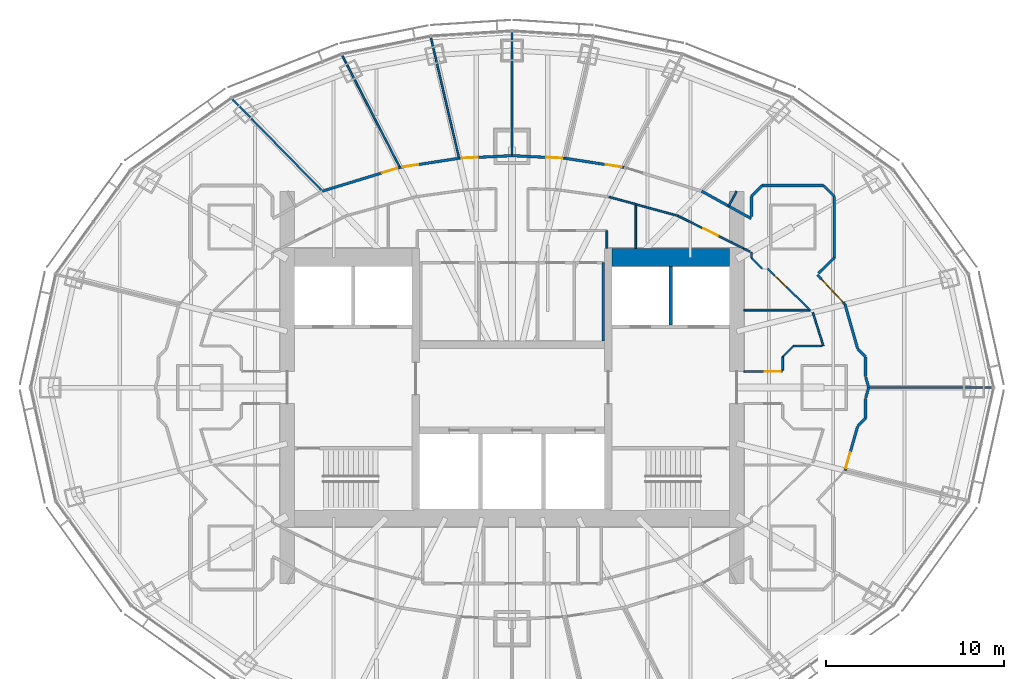
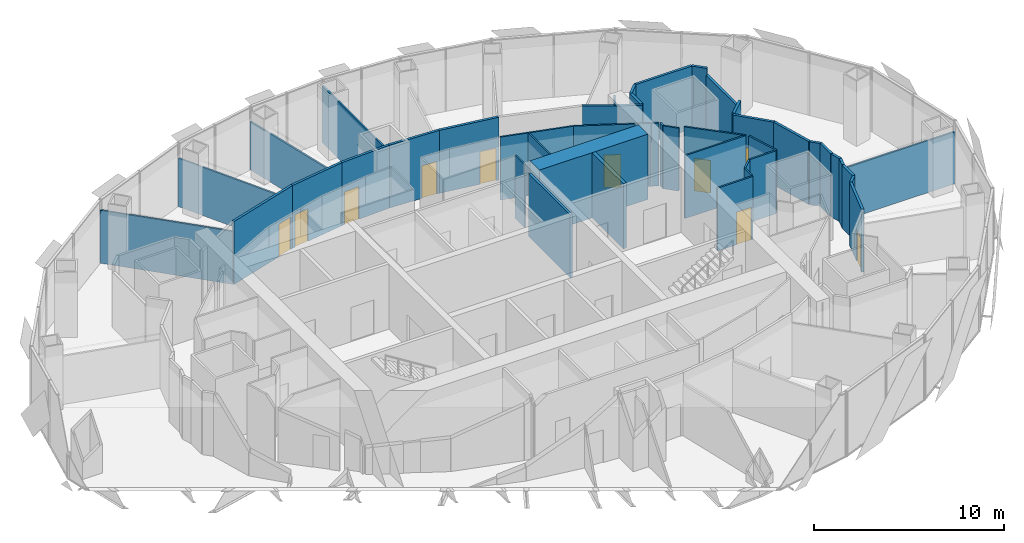
# One storey, part 15 of 19: 45 walls, 10 doors, 10 openings.
"""IFC4 building model written with IfcOpenShell, lengths in metres."""

from ifc_helpers import new_model, si_unit, direction, frame, frame_2d, origin, place, context, subcontext, project, spatial, rectangle, extrude, material, layer, layer_set, type_object, element, fill, save


model = new_model("IFC4")

# Units and contexts
model_context = context("Model", 3, precision=1e-05, world=origin(), true_north=direction((0.0, 1.0)))
body_context = subcontext(model_context, "Body", "Model", "MODEL_VIEW")
ifc_project = project(units=[si_unit("LENGTHUNIT", "METRE"), si_unit("AREAUNIT", "SQUARE_METRE"), si_unit("VOLUMEUNIT", "CUBIC_METRE"), si_unit("PLANEANGLEUNIT", "RADIAN"), si_unit("MASSUNIT", "GRAM", prefix="KILO")], contexts=[model_context])

# Site, building, storey
site_placement = place(None, origin())
site = spatial("IfcSite", under=ifc_project, at=site_placement, CompositionType="ELEMENT")
building_placement = place(site_placement, origin())
building = spatial("IfcBuilding", under=site, at=building_placement, Name="Lantaw Convention Tower", CompositionType="ELEMENT")
storey_placement = place(building_placement, frame((0.0, 0.0, 249.39990234375)))
storey = spatial("IfcBuildingStorey", under=building, at=storey_placement, Name="L58", CompositionType="ELEMENT", Elevation=249.39990234375)

# Wall
ifc_material_1 = material(Name="Concrete C60/75", Category="concrete")
ifc_layer_1 = layer(ifc_material_1, 1.0)
ifc_layer_set_1 = layer_set([ifc_layer_1], Name="Core wall 1000")
wall_type_1 = type_object("IfcWallType", Name="Core wall 1000", PredefinedType="SHEAR", material=ifc_layer_set_1)
wall_1_placement = place(storey_placement, frame((12.199951171875, 7.300048828125, 0.0), z_axis=(0.0, 0.0, 1.0), x_axis=(-1.0, 0.0, 0.0)))
element("IfcWall", 1, at=wall_1_placement, inside=storey, type_object=wall_type_1, Name="Core wall NE", PredefinedType="SHEAR", context=body_context, shape_type="SweptSolid", body=[
    extrude(rectangle(XDim=6.599853515625, YDim=1.0, at=frame_2d((3.2998046875, 0.0))), origin(), (0.0, 0.0, 1.0), 4.2001953125),
])

# Wall, opening, door
ifc_material_2 = material(Name="Gypsum board on steel studs, fire rated", Category="steel")
ifc_layer_2 = layer(ifc_material_2, 0.14990234375)
ifc_layer_set_2 = layer_set([ifc_layer_2], Name="Corridor wall 150 EI 60")
wall_type_2 = type_object("IfcWallType", Name="Corridor wall 150 EI 60", PredefinedType="PARTITIONING", material=ifc_layer_set_2)
wall_2_placement = place(storey_placement, frame((6.287841796875, 12.3408203125, 0.0), z_axis=(0.0, 0.0, 1.0), x_axis=(-0.988174283057, 0.153334882869, 0.0)))
wall_2 = element("IfcWall", 2, at=wall_2_placement, inside=storey, type_object=wall_type_2, Name="Corridor wall 150", PredefinedType="PARTITIONING", context=body_context, shape_type="SweptSolid", body=[
    extrude(rectangle(XDim=3.359619140625, YDim=0.14990234375, at=frame_2d((1.6796875, 0.0))), origin(), (0.0, 0.0, 1.0), 4.050048828125),
])
opening_1_placement = place(wall_2_placement, frame((0.14990234375, 0.0, 0.0)))
opening_1 = element("IfcOpeningElement", 3, at=opening_1_placement, cuts=wall_2, Name="Opening L58.38", PredefinedType="OPENING", context=body_context, shape_type="SweptSolid", body=[
    extrude(rectangle(XDim=0.89990234375, YDim=2.10009765625, at=frame_2d((0.449951171875, 1.050048828125))), frame((0.0, 0.0849609375, 0.0), z_axis=(0.0, -1.0, 0.0), x_axis=(1.0, 0.0, 0.0)), (0.0, 0.0, 1.0), 0.169921875),
])
ifc_material_3 = material(Name="Steel, fire rated", Category="steel")
door_type_1 = type_object("IfcDoorType", Name="Office door 900 FD30", OperationType="SINGLE_SWING_LEFT", PredefinedType="DOOR", material=ifc_material_3)
door_1_placement = place(opening_1_placement, origin())
door_1 = element("IfcDoor", 4, at=door_1_placement, inside=storey, type_object=door_type_1, Name="Private office door", OperationType="SINGLE_SWING_LEFT", OverallHeight=2.10009765625, OverallWidth=0.89990234375, PredefinedType="DOOR", context=body_context, shape_type="SweptSolid", body=[
    extrude(rectangle(XDim=0.89990234375, YDim=2.10009765625, at=frame_2d((0.449951171875, 1.050048828125))), frame((0.0, 0.02490234375, 0.0), z_axis=(0.0, -1.0, 0.0), x_axis=(1.0, 0.0, 0.0)), (0.0, 0.0, 1.0), 0.050048828125),
])
fill(opening_1, door_1)

wall_3_placement = place(storey_placement, frame((2.968017578125, 12.85595703125, 0.0), z_axis=(0.0, 0.0, 1.0), x_axis=(-0.998824412818, 0.04847465687, 0.0)))
wall_3 = element("IfcWall", 5, at=wall_3_placement, inside=storey, type_object=wall_type_2, Name="Corridor wall 150", PredefinedType="PARTITIONING", context=body_context, shape_type="SweptSolid", body=[
    extrude(rectangle(XDim=2.971435546875, YDim=0.14990234375, at=frame_2d((1.48583984375, 0.0))), origin(), (0.0, 0.0, 1.0), 4.050048828125),
])
opening_2_placement = place(wall_3_placement, frame((0.14990234375, 0.0, 0.0)))
opening_2 = element("IfcOpeningElement", 6, at=opening_2_placement, cuts=wall_3, Name="Opening L58.39", PredefinedType="OPENING", context=body_context, shape_type="SweptSolid", body=[
    extrude(rectangle(XDim=0.89990234375, YDim=2.10009765625, at=frame_2d((0.449951171875, 1.050048828125))), frame((0.0, 0.0849609375, 0.0), z_axis=(0.0, -1.0, 0.0), x_axis=(1.0, 0.0, 0.0)), (0.0, 0.0, 1.0), 0.169921875),
])
door_2_placement = place(opening_2_placement, origin())
door_2 = element("IfcDoor", 7, at=door_2_placement, inside=storey, type_object=door_type_1, Name="Private office door", OperationType="SINGLE_SWING_LEFT", OverallHeight=2.10009765625, OverallWidth=0.89990234375, PredefinedType="DOOR", context=body_context, shape_type="SweptSolid", body=[
    extrude(rectangle(XDim=0.89990234375, YDim=2.10009765625, at=frame_2d((0.449951171875, 1.050048828125))), frame((0.0, 0.02490234375, 0.0), z_axis=(0.0, -1.0, 0.0), x_axis=(1.0, 0.0, 0.0)), (0.0, 0.0, 1.0), 0.050048828125),
])
fill(opening_2, door_2)

wall_4_placement = place(storey_placement, frame((0.0, 13.0, 0.0), z_axis=(0.0, 0.0, 1.0), x_axis=(-0.998824412818, -0.04847465687, 0.0)))
wall_4 = element("IfcWall", 8, at=wall_4_placement, inside=storey, type_object=wall_type_2, Name="Corridor wall 150", PredefinedType="PARTITIONING", context=body_context, shape_type="SweptSolid", body=[
    extrude(rectangle(XDim=2.971435546875, YDim=0.14990234375, at=frame_2d((1.48583984375, 0.0))), origin(), (0.0, 0.0, 1.0), 4.050048828125),
])
opening_3_placement = place(wall_4_placement, frame((1.92138671875, 0.0, 0.0)))
opening_3 = element("IfcOpeningElement", 9, at=opening_3_placement, cuts=wall_4, Name="Opening L58.40", PredefinedType="OPENING", context=body_context, shape_type="SweptSolid", body=[
    extrude(rectangle(XDim=0.89990234375, YDim=2.10009765625, at=frame_2d((0.449951171875, 1.050048828125))), frame((0.0, 0.0849609375, 0.0), z_axis=(0.0, -1.0, 0.0), x_axis=(1.0, 0.0, 0.0)), (0.0, 0.0, 1.0), 0.169921875),
])
door_3_placement = place(opening_3_placement, origin())
door_3 = element("IfcDoor", 10, at=door_3_placement, inside=storey, type_object=door_type_1, Name="Private office door", OperationType="SINGLE_SWING_LEFT", OverallHeight=2.10009765625, OverallWidth=0.89990234375, PredefinedType="DOOR", context=body_context, shape_type="SweptSolid", body=[
    extrude(rectangle(XDim=0.89990234375, YDim=2.10009765625, at=frame_2d((0.449951171875, 1.050048828125))), frame((0.0, 0.02490234375, 0.0), z_axis=(0.0, -1.0, 0.0), x_axis=(1.0, 0.0, 0.0)), (0.0, 0.0, 1.0), 0.050048828125),
])
fill(opening_3, door_3)

wall_5_placement = place(storey_placement, frame((-2.968017578125, 12.85595703125, 0.0), z_axis=(0.0, 0.0, 1.0), x_axis=(-0.988174283057, -0.153334882869, 0.0)))
wall_5 = element("IfcWall", 11, at=wall_5_placement, inside=storey, type_object=wall_type_2, Name="Corridor wall 150", PredefinedType="PARTITIONING", context=body_context, shape_type="SweptSolid", body=[
    extrude(rectangle(XDim=3.359619140625, YDim=0.14990234375, at=frame_2d((1.6796875, 0.0))), origin(), (0.0, 0.0, 1.0), 4.050048828125),
])
opening_4_placement = place(wall_5_placement, frame((2.3095703125, 0.0, 0.0)))
opening_4 = element("IfcOpeningElement", 12, at=opening_4_placement, cuts=wall_5, Name="Opening L58.41", PredefinedType="OPENING", context=body_context, shape_type="SweptSolid", body=[
    extrude(rectangle(XDim=0.89990234375, YDim=2.10009765625, at=frame_2d((0.449951171875, 1.050048828125))), frame((0.0, 0.0849609375, 0.0), z_axis=(0.0, -1.0, 0.0), x_axis=(1.0, 0.0, 0.0)), (0.0, 0.0, 1.0), 0.169921875),
])
door_4_placement = place(opening_4_placement, origin())
door_4 = element("IfcDoor", 13, at=door_4_placement, inside=storey, type_object=door_type_1, Name="Private office door", OperationType="SINGLE_SWING_LEFT", OverallHeight=2.10009765625, OverallWidth=0.89990234375, PredefinedType="DOOR", context=body_context, shape_type="SweptSolid", body=[
    extrude(rectangle(XDim=0.89990234375, YDim=2.10009765625, at=frame_2d((0.449951171875, 1.050048828125))), frame((0.0, 0.02490234375, 0.0), z_axis=(0.0, -1.0, 0.0), x_axis=(1.0, 0.0, 0.0)), (0.0, 0.0, 1.0), 0.050048828125),
])
fill(opening_4, door_4)

wall_6_placement = place(storey_placement, frame((-6.287841796875, 12.3408203125, 0.0), z_axis=(0.0, 0.0, 1.0), x_axis=(-0.956185837153, -0.292760388079, 0.0)))
wall_6 = element("IfcWall", 14, at=wall_6_placement, inside=storey, type_object=wall_type_2, Name="Corridor wall 150", PredefinedType="PARTITIONING", context=body_context, shape_type="SweptSolid", body=[
    extrude(rectangle(XDim=4.5439453125, YDim=0.14990234375, at=frame_2d((2.27197265625, 0.0))), origin(), (0.0, 0.0, 1.0), 4.050048828125),
])
opening_5_placement = place(wall_6_placement, frame((0.14990234375, 0.0, 0.0)))
opening_5 = element("IfcOpeningElement", 15, at=opening_5_placement, cuts=wall_6, Name="Opening L58.42", PredefinedType="OPENING", context=body_context, shape_type="SweptSolid", body=[
    extrude(rectangle(XDim=0.89990234375, YDim=2.10009765625, at=frame_2d((0.449951171875, 1.050048828125))), frame((0.0, 0.0849609375, 0.0), z_axis=(0.0, -1.0, 0.0), x_axis=(1.0, 0.0, 0.0)), (0.0, 0.0, 1.0), 0.169921875),
])
door_5_placement = place(opening_5_placement, origin())
door_5 = element("IfcDoor", 16, at=door_5_placement, inside=storey, type_object=door_type_1, Name="Private office door", OperationType="SINGLE_SWING_LEFT", OverallHeight=2.10009765625, OverallWidth=0.89990234375, PredefinedType="DOOR", context=body_context, shape_type="SweptSolid", body=[
    extrude(rectangle(XDim=0.89990234375, YDim=2.10009765625, at=frame_2d((0.449951171875, 1.050048828125))), frame((0.0, 0.02490234375, 0.0), z_axis=(0.0, -1.0, 0.0), x_axis=(1.0, 0.0, 0.0)), (0.0, 0.0, 1.0), 0.050048828125),
])
fill(opening_5, door_5)

wall_7_placement = place(storey_placement, frame((18.67333984375, 4.65576171875, 0.0), z_axis=(0.0, 0.0, 1.0), x_axis=(-0.680985069419, 0.732297299755, 0.0)))
wall_7 = element("IfcWall", 17, at=wall_7_placement, inside=storey, type_object=wall_type_2, Name="Corridor wall 150", PredefinedType="PARTITIONING", context=body_context, shape_type="SweptSolid", body=[
    extrude(rectangle(XDim=2.279052734375, YDim=0.14990234375, at=frame_2d((1.1396484375, 0.0))), origin(), (0.0, 0.0, 1.0), 4.050048828125),
])
opening_6_placement = place(wall_7_placement, frame((0.14990234375, 0.0, 0.0)))
opening_6 = element("IfcOpeningElement", 18, at=opening_6_placement, cuts=wall_7, Name="Opening L58.36", PredefinedType="OPENING", context=body_context, shape_type="SweptSolid", body=[
    extrude(rectangle(XDim=1.800048828125, YDim=2.10009765625, at=frame_2d((0.89990234375, 1.050048828125))), frame((0.0, 0.0849609375, 0.0), z_axis=(0.0, -1.0, 0.0), x_axis=(1.0, 0.0, 0.0)), (0.0, 0.0, 1.0), 0.169921875),
])
door_type_2 = type_object("IfcDoorType", Name="Office double door 1800 FD30", OperationType="DOUBLE_DOOR_DOUBLE_SWING", PredefinedType="DOOR", material=ifc_material_3)
door_6_placement = place(opening_6_placement, origin())
door_6 = element("IfcDoor", 19, at=door_6_placement, inside=storey, type_object=door_type_2, Name="Reception door", OperationType="DOUBLE_DOOR_DOUBLE_SWING", OverallHeight=2.10009765625, OverallWidth=1.800048828125, PredefinedType="DOOR", context=body_context, shape_type="SweptSolid", body=[
    extrude(rectangle(XDim=1.800048828125, YDim=2.10009765625, at=frame_2d((0.89990234375, 1.050048828125))), frame((0.0, 0.02490234375, 0.0), z_axis=(0.0, -1.0, 0.0), x_axis=(1.0, 0.0, 0.0)), (0.0, 0.0, 1.0), 0.050048828125),
])
fill(opening_6, door_6)

# Walls
wall_8_placement = place(storey_placement, frame((13.4150390625, 9.4716796875, 0.0), z_axis=(0.0, 0.0, 1.0), x_axis=(-0.875072100837, 0.483992580869, 0.0)))
element("IfcWall", 20, at=wall_8_placement, inside=storey, type_object=wall_type_2, Name="Corridor wall 150", PredefinedType="PARTITIONING", context=body_context, shape_type="SweptSolid", body=[
    extrude(rectangle(XDim=3.179443359375, YDim=0.14990234375, at=frame_2d((1.58984375, 0.0))), origin(), (0.0, 0.0, 1.0), 4.050048828125),
])
wall_9_placement = place(storey_placement, frame((13.425048828125, 9.586181640625, 0.0), z_axis=(0.0, 0.0, 1.0), x_axis=(0.0, 1.0, 0.0)))
element("IfcWall", 21, at=wall_9_placement, inside=storey, type_object=wall_type_2, Name="Corridor wall 150", PredefinedType="PARTITIONING", context=body_context, shape_type="SweptSolid", body=[
    extrude(rectangle(XDim=1.138427734375, YDim=0.14990234375, at=frame_2d((0.5693359375, 0.0))), origin(), (0.0, 0.0, 1.0), 4.050048828125),
])
wall_10_placement = place(storey_placement, frame((13.425048828125, 10.724609375, 0.0), z_axis=(0.0, 0.0, 1.0), x_axis=(0.707106781187, 0.707106781187, 0.0)))
element("IfcWall", 22, at=wall_10_placement, inside=storey, type_object=wall_type_2, Name="Corridor wall 150", PredefinedType="PARTITIONING", context=body_context, shape_type="SweptSolid", body=[
    extrude(rectangle(XDim=0.84912109375, YDim=0.14990234375, at=frame_2d((0.424560546875, 0.0))), origin(), (0.0, 0.0, 1.0), 4.050048828125),
])
wall_11_placement = place(storey_placement, frame((14.025390625, 11.324951171875, 0.0), z_axis=(0.0, 0.0, 1.0), x_axis=(1.0, 0.0, 0.0)))
element("IfcWall", 23, at=wall_11_placement, inside=storey, type_object=wall_type_2, Name="Corridor wall 150", PredefinedType="PARTITIONING", context=body_context, shape_type="SweptSolid", body=[
    extrude(rectangle(XDim=3.44921875, YDim=0.14990234375, at=frame_2d((1.724609375, 0.0))), origin(), (0.0, 0.0, 1.0), 4.050048828125),
])
wall_12_placement = place(storey_placement, frame((17.474609375, 11.324951171875, 0.0), z_axis=(0.0, 0.0, 1.0), x_axis=(0.707106781187, -0.707106781187, 0.0)))
element("IfcWall", 24, at=wall_12_placement, inside=storey, type_object=wall_type_2, Name="Corridor wall 150", PredefinedType="PARTITIONING", context=body_context, shape_type="SweptSolid", body=[
    extrude(rectangle(XDim=0.84912109375, YDim=0.14990234375, at=frame_2d((0.424560546875, 0.0))), origin(), (0.0, 0.0, 1.0), 4.050048828125),
])
wall_13_placement = place(storey_placement, frame((18.074951171875, 10.724609375, 0.0), z_axis=(0.0, 0.0, 1.0), x_axis=(0.0, -1.0, 0.0)))
element("IfcWall", 25, at=wall_13_placement, inside=storey, type_object=wall_type_2, Name="Corridor wall 150", PredefinedType="PARTITIONING", context=body_context, shape_type="SweptSolid", body=[
    extrude(rectangle(XDim=3.44921875, YDim=0.14990234375, at=frame_2d((1.724609375, 0.0))), origin(), (0.0, 0.0, 1.0), 3.6005859375),
])
wall_14_placement = place(storey_placement, frame((18.074951171875, 7.275390625, 0.0), z_axis=(0.0, 0.0, 1.0), x_axis=(-0.713842064016, -0.700306723973, 0.0)))
element("IfcWall", 26, at=wall_14_placement, inside=storey, type_object=wall_type_2, Name="Corridor wall 150", PredefinedType="PARTITIONING", context=body_context, shape_type="SweptSolid", body=[
    extrude(rectangle(XDim=1.24462890625, YDim=0.14990234375, at=frame_2d((0.622314453125, 0.0))), origin(), (0.0, 0.0, 1.0), 4.050048828125),
])
wall_15_placement = place(storey_placement, frame((20.0, 0.0, 0.0), z_axis=(0.0, 0.0, 1.0), x_axis=(-0.27407847996, 0.961707329089, 0.0)))
element("IfcWall", 27, at=wall_15_placement, inside=storey, type_object=wall_type_2, Name="Corridor wall 150", PredefinedType="PARTITIONING", context=body_context, shape_type="SweptSolid", body=[
    extrude(rectangle(XDim=0.60205078125, YDim=0.14990234375, at=frame_2d((0.301025390625, 0.0))), origin(), (0.0, 0.0, 1.0), 4.050048828125),
])
wall_16_placement = place(storey_placement, frame((19.376953125, 2.186767578125, 0.0), z_axis=(0.0, 0.0, 1.0), x_axis=(-0.274067949327, 0.961710330168, 0.0)))
element("IfcWall", 28, at=wall_16_placement, inside=storey, type_object=wall_type_2, Name="Corridor wall 150", PredefinedType="PARTITIONING", context=body_context, shape_type="SweptSolid", body=[
    extrude(rectangle(XDim=2.5673828125, YDim=0.14990234375, at=frame_2d((1.28369140625, 0.0))), origin(), (0.0, 0.0, 1.0), 4.050048828125),
])

# Wall, opening, door
wall_17_placement = place(storey_placement, frame((18.67333984375, -4.65576171875, 0.0), z_axis=(0.0, 0.0, 1.0), x_axis=(0.274067949327, 0.961710330168, 0.0)))
wall_17 = element("IfcWall", 29, at=wall_17_placement, inside=storey, type_object=wall_type_2, Name="Corridor wall 150", PredefinedType="PARTITIONING", context=body_context, shape_type="SweptSolid", body=[
    extrude(rectangle(XDim=2.5673828125, YDim=0.14990234375, at=frame_2d((1.28369140625, 0.0))), origin(), (0.0, 0.0, 1.0), 4.050048828125),
])
opening_7_placement = place(wall_17_placement, frame((0.14990234375, 0.0, 0.0)))
opening_7 = element("IfcOpeningElement", 30, at=opening_7_placement, cuts=wall_17, Name="Opening L58.51", PredefinedType="OPENING", context=body_context, shape_type="SweptSolid", body=[
    extrude(rectangle(XDim=0.89990234375, YDim=2.10009765625, at=frame_2d((0.449951171875, 1.050048828125))), frame((0.0, 0.0849609375, 0.0), z_axis=(0.0, -1.0, 0.0), x_axis=(1.0, 0.0, 0.0)), (0.0, 0.0, 1.0), 0.169921875),
])
door_7_placement = place(opening_7_placement, origin())
door_7 = element("IfcDoor", 31, at=door_7_placement, inside=storey, type_object=door_type_1, Name="Quiet room door", OperationType="SINGLE_SWING_LEFT", OverallHeight=2.10009765625, OverallWidth=0.89990234375, PredefinedType="DOOR", context=body_context, shape_type="SweptSolid", body=[
    extrude(rectangle(XDim=0.89990234375, YDim=2.10009765625, at=frame_2d((0.449951171875, 1.050048828125))), frame((0.0, 0.02490234375, 0.0), z_axis=(0.0, -1.0, 0.0), x_axis=(1.0, 0.0, 0.0)), (0.0, 0.0, 1.0), 0.050048828125),
])
fill(opening_7, door_7)

# Walls
wall_18_placement = place(storey_placement, frame((19.8349609375, -0.5791015625, 0.0), z_axis=(0.0, 0.0, 1.0), x_axis=(0.27407847996, 0.961707329089, 0.0)))
element("IfcWall", 32, at=wall_18_placement, inside=storey, type_object=wall_type_2, Name="Corridor wall 150", PredefinedType="PARTITIONING", context=body_context, shape_type="SweptSolid", body=[
    extrude(rectangle(XDim=0.60205078125, YDim=0.14990234375, at=frame_2d((0.301025390625, 0.0))), origin(), (0.0, 0.0, 1.0), 4.050048828125),
])
wall_19_placement = place(storey_placement, frame((19.39013671875, 2.159423828125, 0.0), z_axis=(0.0, 0.0, 1.0), x_axis=(0.707106781187, -0.707106781187, 0.0)))
element("IfcWall", 33, at=wall_19_placement, inside=storey, type_object=wall_type_2, Name="Corridor wall 150", PredefinedType="PARTITIONING", context=body_context, shape_type="SweptSolid", body=[
    extrude(rectangle(XDim=0.614990234375, YDim=0.14990234375, at=frame_2d((0.3076171875, 0.0))), origin(), (0.0, 0.0, 1.0), 4.050048828125),
])
for number, where, z_axis, x_axis, name in (
    (34, (19.824951171875, 1.724609375, 0.0), (0.0, 0.0, 1.0), (0.0, -1.0, 0.0), "Corridor wall 150"),
    (35, (19.824951171875, -0.607421875, 0.0), (0.0, 0.0, 1.0), (0.0, -1.0, 0.0), "Corridor wall 150"),
):
    element("IfcWall", number, at=place(storey_placement, frame(where, z_axis=z_axis, x_axis=x_axis)), inside=storey, type_object=wall_type_2, Name=name, PredefinedType="PARTITIONING", context=body_context, shape_type="SweptSolid", body=[
        extrude(rectangle(XDim=1.1171875, YDim=0.14990234375, at=frame_2d((0.55859375, 0.0))), origin(), (0.0, 0.0, 1.0), 4.050048828125),
    ])
wall_20_placement = place(storey_placement, frame((19.824951171875, -1.724609375, 0.0), z_axis=(0.0, 0.0, 1.0), x_axis=(-0.707106781187, -0.707106781187, 0.0)))
element("IfcWall", 36, at=wall_20_placement, inside=storey, type_object=wall_type_2, Name="Corridor wall 150", PredefinedType="PARTITIONING", context=body_context, shape_type="SweptSolid", body=[
    extrude(rectangle(XDim=0.614990234375, YDim=0.14990234375, at=frame_2d((0.3076171875, 0.0))), origin(), (0.0, 0.0, 1.0), 4.050048828125),
])
ifc_material_4 = material(Name="Gypsum board on steel studs, acoustic", Category="steel")
ifc_layer_3 = layer(ifc_material_4, 0.10009765625)
ifc_layer_set_3 = layer_set([ifc_layer_3], Name="Office partition 100")
wall_type_3 = type_object("IfcWallType", Name="Office partition 100", PredefinedType="PARTITIONING", material=ifc_layer_set_3)
wall_21_placement = place(storey_placement, frame((26.944091796875, 0.0, 0.0), z_axis=(0.0, 0.0, 1.0), x_axis=(-1.0, 0.0, 0.0)))
element("IfcWall", 37, at=wall_21_placement, inside=storey, type_object=wall_type_3, Name="Office partition 100", PredefinedType="PARTITIONING", context=body_context, shape_type="SweptSolid", body=[
    extrude(rectangle(XDim=6.944091796875, YDim=0.10009765625, at=frame_2d((3.47216796875, 0.0))), origin(), (0.0, 0.0, 1.0), 3.34912109375),
])
wall_22_placement = place(storey_placement, frame((0.0, 19.94482421875, 0.0), z_axis=(0.0, 0.0, 1.0), x_axis=(0.0, -1.0, 0.0)))
element("IfcWall", 38, at=wall_22_placement, inside=storey, type_object=wall_type_3, Name="Office partition 100", PredefinedType="PARTITIONING", context=body_context, shape_type="SweptSolid", body=[
    extrude(rectangle(XDim=6.94482421875, YDim=0.10009765625, at=frame_2d((3.472412109375, 0.0))), origin(), (0.0, 0.0, 1.0), 3.643798828125),
])
wall_23_placement = place(storey_placement, frame((-4.5556640625, 19.65673828125, 0.0), z_axis=(0.0, 0.0, 1.0), x_axis=(0.22733791689, -0.973815933092, 0.0)))
element("IfcWall", 39, at=wall_23_placement, inside=storey, type_object=wall_type_3, Name="Office partition 100", PredefinedType="PARTITIONING", context=body_context, shape_type="SweptSolid", body=[
    extrude(rectangle(XDim=6.983642578125, YDim=0.10009765625, at=frame_2d((3.49169921875, 0.0))), origin(), (0.0, 0.0, 1.0), 3.107666015625),
])
wall_24_placement = place(storey_placement, frame((-9.53955078125, 18.650390625, 0.0), z_axis=(0.0, 0.0, 1.0), x_axis=(0.45810402165, -0.88889859115, 0.0)))
element("IfcWall", 40, at=wall_24_placement, inside=storey, type_object=wall_type_3, Name="Office partition 100", PredefinedType="PARTITIONING", context=body_context, shape_type="SweptSolid", body=[
    extrude(rectangle(XDim=7.09814453125, YDim=0.10009765625, at=frame_2d((3.549072265625, 0.0))), origin(), (0.0, 0.0, 1.0), 3.107666015625),
])
wall_25_placement = place(storey_placement, frame((-15.709228515625, 16.19873046875, 0.0), z_axis=(0.0, 0.0, 1.0), x_axis=(0.699362525935, -0.714767135029, 0.0)))
element("IfcWall", 41, at=wall_25_placement, inside=storey, type_object=wall_type_3, Name="Office partition 100", PredefinedType="PARTITIONING", context=body_context, shape_type="SweptSolid", body=[
    extrude(rectangle(XDim=7.258544921875, YDim=0.10009765625, at=frame_2d((3.62939453125, 0.0))), origin(), (0.0, 0.0, 1.0), 3.409912109375),
])
wall_26_placement = place(storey_placement, frame((13.0, 4.340087890625, 0.0), z_axis=(0.0, 0.0, 1.0), x_axis=(1.0, 0.0, 0.0)))
element("IfcWall", 42, at=wall_26_placement, inside=storey, type_object=wall_type_3, Name="Office partition 100", PredefinedType="PARTITIONING", context=body_context, shape_type="SweptSolid", body=[
    extrude(rectangle(XDim=3.729248046875, YDim=0.10009765625, at=frame_2d((1.86474609375, 0.0))), origin(), (0.0, 0.0, 1.0), 4.050048828125),
])
wall_27_placement = place(storey_placement, frame((13.0, 7.788330078125, 0.0), z_axis=(0.0, 0.0, 1.0), x_axis=(0.895721570004, -0.444615416995, 0.0)))
element("IfcWall", 43, at=wall_27_placement, inside=storey, type_object=wall_type_3, Name="Office partition 100", PredefinedType="PARTITIONING", context=body_context, shape_type="SweptSolid", body=[
    extrude(rectangle(XDim=0.376220703125, YDim=0.10009765625, at=frame_2d((0.18798828125, 0.0))), origin(), (0.0, 0.0, 1.0), 4.050048828125),
])
wall_28_placement = place(storey_placement, frame((5.4453125, 10.68701171875, 0.0), z_axis=(0.0, 0.0, 1.0), x_axis=(0.964227536736, -0.265075946476, 0.0)))
element("IfcWall", 44, at=wall_28_placement, inside=storey, type_object=wall_type_3, Name="Office partition 100", PredefinedType="PARTITIONING", context=body_context, shape_type="SweptSolid", body=[
    extrude(rectangle(XDim=1.550048828125, YDim=0.10009765625, at=frame_2d((0.77490234375, 0.0))), origin(), (0.0, 0.0, 1.0), 4.050048828125),
])
wall_29_placement = place(storey_placement, frame((6.93994140625, 10.276123046875, 0.0), z_axis=(0.0, 0.0, 1.0), x_axis=(0.0, -1.0, 0.0)))
element("IfcWall", 45, at=wall_29_placement, inside=storey, type_object=wall_type_3, Name="Office partition 100", PredefinedType="PARTITIONING", context=body_context, shape_type="SweptSolid", body=[
    extrude(rectangle(XDim=2.47607421875, YDim=0.10009765625, at=frame_2d((1.238037109375, 0.0))), origin(), (0.0, 0.0, 1.0), 4.050048828125),
])
wall_30_placement = place(storey_placement, frame((5.320068359375, 7.800048828125, 0.0), z_axis=(0.0, 0.0, 1.0), x_axis=(0.0, 1.0, 0.0)))
element("IfcWall", 46, at=wall_30_placement, inside=storey, type_object=wall_type_3, Name="Office partition 100", PredefinedType="PARTITIONING", context=body_context, shape_type="SweptSolid", body=[
    extrude(rectangle(XDim=1.0, YDim=0.10009765625, at=frame_2d((0.5, 0.0))), origin(), (0.0, 0.0, 1.0), 4.050048828125),
])

# Wall, opening, door
wall_31_placement = place(storey_placement, frame((9.2978515625, 9.628173828125, 0.0), z_axis=(0.0, 0.0, 1.0), x_axis=(0.895529831139, -0.445001484874, 0.0)))
wall_31 = element("IfcWall", 47, at=wall_31_placement, inside=storey, type_object=wall_type_3, Name="Office partition 100", PredefinedType="PARTITIONING", context=body_context, shape_type="SweptSolid", body=[
    extrude(rectangle(XDim=4.108154296875, YDim=0.10009765625, at=frame_2d((2.05419921875, 0.0))), origin(), (0.0, 0.0, 1.0), 4.050048828125),
])
opening_8_placement = place(wall_31_placement, frame((1.60400390625, 0.0, 0.0)))
opening_8 = element("IfcOpeningElement", 48, at=opening_8_placement, cuts=wall_31, Name="Opening L58.31", PredefinedType="OPENING", context=body_context, shape_type="SweptSolid", body=[
    extrude(rectangle(XDim=0.89990234375, YDim=2.10009765625, at=frame_2d((0.449951171875, 1.050048828125))), frame((0.0, 0.06005859375, 0.0), z_axis=(0.0, -1.0, 0.0), x_axis=(1.0, 0.0, 0.0)), (0.0, 0.0, 1.0), 0.1201171875),
])
ifc_material_5 = material(Name="Timber", Category="wood")
door_type_3 = type_object("IfcDoorType", Name="Office door 900", OperationType="SINGLE_SWING_LEFT", PredefinedType="DOOR", material=ifc_material_5)
door_8_placement = place(opening_8_placement, origin())
door_8 = element("IfcDoor", 49, at=door_8_placement, inside=storey, type_object=door_type_3, Name="Project room door", OperationType="SINGLE_SWING_LEFT", OverallHeight=2.10009765625, OverallWidth=0.89990234375, PredefinedType="DOOR", context=body_context, shape_type="SweptSolid", body=[
    extrude(rectangle(XDim=0.89990234375, YDim=2.10009765625, at=frame_2d((0.449951171875, 1.050048828125))), frame((0.0, 0.02490234375, 0.0), z_axis=(0.0, -1.0, 0.0), x_axis=(1.0, 0.0, 0.0)), (0.0, 0.0, 1.0), 0.050048828125),
])
fill(opening_8, door_8)

# Walls
wall_32_placement = place(storey_placement, frame((6.93994140625, 10.276123046875, 0.0), z_axis=(0.0, 0.0, 1.0), x_axis=(0.964255150805, -0.264975478385, 0.0)))
element("IfcWall", 50, at=wall_32_placement, inside=storey, type_object=wall_type_3, Name="Office partition 100", PredefinedType="PARTITIONING", context=body_context, shape_type="SweptSolid", body=[
    extrude(rectangle(XDim=2.4453125, YDim=0.10009765625, at=frame_2d((1.22265625, 0.0))), origin(), (0.0, 0.0, 1.0), 4.050048828125),
])
wall_33_placement = place(storey_placement, frame((12.60009765625, 11.0, 0.0), z_axis=(0.0, 0.0, 1.0), x_axis=(-0.484103558985, -0.875010710893, 0.0)))
element("IfcWall", 51, at=wall_33_placement, inside=storey, type_object=wall_type_3, Name="Office partition 100", PredefinedType="PARTITIONING", context=body_context, shape_type="SweptSolid", body=[
    extrude(rectangle(XDim=0.943115234375, YDim=0.10009765625, at=frame_2d((0.4716796875, 0.0))), origin(), (0.0, 0.0, 1.0), 4.050048828125),
])

# Wall, opening, door
wall_34_placement = place(storey_placement, frame((14.325439453125, 6.6650390625, 0.0), z_axis=(0.0, 0.0, 1.0), x_axis=(0.718798647558, -0.695218314107, 0.0)))
wall_34 = element("IfcWall", 52, at=wall_34_placement, inside=storey, type_object=wall_type_3, Name="Office partition 100", PredefinedType="PARTITIONING", context=body_context, shape_type="SweptSolid", body=[
    extrude(rectangle(XDim=3.34423828125, YDim=0.10009765625, at=frame_2d((1.672119140625, 0.0))), origin(), (0.0, 0.0, 1.0), 4.050048828125),
])
opening_9_placement = place(wall_34_placement, frame((0.550048828125, 0.0, 0.0)))
opening_9 = element("IfcOpeningElement", 53, at=opening_9_placement, cuts=wall_34, Name="Opening L58.29", PredefinedType="OPENING", context=body_context, shape_type="SweptSolid", body=[
    extrude(rectangle(XDim=0.89990234375, YDim=2.10009765625, at=frame_2d((0.449951171875, 1.050048828125))), frame((0.0, 0.06005859375, 0.0), z_axis=(0.0, -1.0, 0.0), x_axis=(1.0, 0.0, 0.0)), (0.0, 0.0, 1.0), 0.1201171875),
])
door_9_placement = place(opening_9_placement, origin())
door_9 = element("IfcDoor", 54, at=door_9_placement, inside=storey, type_object=door_type_3, Name="Comms room door", OperationType="SINGLE_SWING_LEFT", OverallHeight=2.10009765625, OverallWidth=0.89990234375, PredefinedType="DOOR", context=body_context, shape_type="SweptSolid", body=[
    extrude(rectangle(XDim=0.89990234375, YDim=2.10009765625, at=frame_2d((0.449951171875, 1.050048828125))), frame((0.0, 0.02490234375, 0.0), z_axis=(0.0, -1.0, 0.0), x_axis=(1.0, 0.0, 0.0)), (0.0, 0.0, 1.0), 0.050048828125),
])
fill(opening_9, door_9)

# Walls
wall_35_placement = place(storey_placement, frame((14.025390625, 6.675048828125, 0.0), z_axis=(0.0, 0.0, 1.0), x_axis=(-0.707106781187, 0.707106781187, 0.0)))
element("IfcWall", 55, at=wall_35_placement, inside=storey, type_object=wall_type_3, Name="Office partition 100", PredefinedType="PARTITIONING", context=body_context, shape_type="SweptSolid", body=[
    extrude(rectangle(XDim=0.84912109375, YDim=0.10009765625, at=frame_2d((0.424560546875, 0.0))), origin(), (0.0, 0.0, 1.0), 4.050048828125),
])
wall_36_placement = place(storey_placement, frame((13.425048828125, 7.275390625, 0.0), z_axis=(0.0, 0.0, 1.0), x_axis=(0.0, 1.0, 0.0)))
element("IfcWall", 56, at=wall_36_placement, inside=storey, type_object=wall_type_3, Name="Office partition 100", PredefinedType="PARTITIONING", context=body_context, shape_type="SweptSolid", body=[
    extrude(rectangle(XDim=0.30224609375, YDim=0.10009765625, at=frame_2d((0.151123046875, 0.0))), origin(), (0.0, 0.0, 1.0), 4.050048828125),
])
wall_37_placement = place(storey_placement, frame((16.8681640625, 4.205810546875, 0.0), z_axis=(0.0, 0.0, 1.0), x_axis=(0.301821975729, -0.953364303384, 0.0)))
element("IfcWall", 57, at=wall_37_placement, inside=storey, type_object=wall_type_3, Name="Office partition 100", PredefinedType="PARTITIONING", context=body_context, shape_type="SweptSolid", body=[
    extrude(rectangle(XDim=1.96240234375, YDim=0.10009765625, at=frame_2d((0.981201171875, 0.0))), origin(), (0.0, 0.0, 1.0), 4.050048828125),
])

# Wall, opening, door
wall_38_placement = place(storey_placement, frame((15.1650390625, 0.89990234375, 0.0), z_axis=(0.0, 0.0, 1.0), x_axis=(-1.0, 0.0, 0.0)))
wall_38 = element("IfcWall", 58, at=wall_38_placement, inside=storey, type_object=wall_type_3, Name="Office partition 100", PredefinedType="PARTITIONING", context=body_context, shape_type="SweptSolid", body=[
    extrude(rectangle(XDim=2.1650390625, YDim=0.10009765625, at=frame_2d((1.08251953125, 0.0))), origin(), (0.0, 0.0, 1.0), 4.050048828125),
])
opening_10_placement = place(wall_38_placement, frame((0.10009765625, 0.0, 0.0)))
opening_10 = element("IfcOpeningElement", 59, at=opening_10_placement, cuts=wall_38, Name="Opening L58.28", PredefinedType="OPENING", context=body_context, shape_type="SweptSolid", body=[
    extrude(rectangle(XDim=0.89990234375, YDim=2.10009765625, at=frame_2d((0.449951171875, 1.050048828125))), frame((0.0, 0.06005859375, 0.0), z_axis=(0.0, -1.0, 0.0), x_axis=(1.0, 0.0, 0.0)), (0.0, 0.0, 1.0), 0.1201171875),
])
door_10_placement = place(opening_10_placement, origin())
door_10 = element("IfcDoor", 60, at=door_10_placement, inside=storey, type_object=door_type_3, Name="Meeting room door", OperationType="SINGLE_SWING_LEFT", OverallHeight=2.10009765625, OverallWidth=0.89990234375, PredefinedType="DOOR", context=body_context, shape_type="SweptSolid", body=[
    extrude(rectangle(XDim=0.89990234375, YDim=2.10009765625, at=frame_2d((0.449951171875, 1.050048828125))), frame((0.0, 0.02490234375, 0.0), z_axis=(0.0, -1.0, 0.0), x_axis=(1.0, 0.0, 0.0)), (0.0, 0.0, 1.0), 0.050048828125),
])
fill(opening_10, door_10)

# Walls
wall_39_placement = place(storey_placement, frame((15.175048828125, 0.978271484375, 0.0), z_axis=(0.0, 0.0, 1.0), x_axis=(0.0, 1.0, 0.0)))
element("IfcWall", 61, at=wall_39_placement, inside=storey, type_object=wall_type_3, Name="Office partition 100", PredefinedType="PARTITIONING", context=body_context, shape_type="SweptSolid", body=[
    extrude(rectangle(XDim=0.746337890625, YDim=0.10009765625, at=frame_2d((0.373046875, 0.0))), origin(), (0.0, 0.0, 1.0), 4.050048828125),
])
wall_40_placement = place(storey_placement, frame((15.175048828125, 1.724609375, 0.0), z_axis=(0.0, 0.0, 1.0), x_axis=(0.707106781187, 0.707106781187, 0.0)))
element("IfcWall", 62, at=wall_40_placement, inside=storey, type_object=wall_type_3, Name="Office partition 100", PredefinedType="PARTITIONING", context=body_context, shape_type="SweptSolid", body=[
    extrude(rectangle(XDim=0.84912109375, YDim=0.10009765625, at=frame_2d((0.424560546875, 0.0))), origin(), (0.0, 0.0, 1.0), 4.050048828125),
])
wall_41_placement = place(storey_placement, frame((15.775390625, 2.324951171875, 0.0), z_axis=(0.0, 0.0, 1.0), x_axis=(1.0, 0.0, 0.0)))
element("IfcWall", 63, at=wall_41_placement, inside=storey, type_object=wall_type_3, Name="Office partition 100", PredefinedType="PARTITIONING", context=body_context, shape_type="SweptSolid", body=[
    extrude(rectangle(XDim=1.6044921875, YDim=0.10009765625, at=frame_2d((0.80224609375, 0.0))), origin(), (0.0, 0.0, 1.0), 4.050048828125),
])
ifc_material_6 = material(Name="Concrete blockwork, fire rated", Category="masonry")
ifc_layer_4 = layer(ifc_material_6, 0.199951171875)
ifc_layer_set_4 = layer_set([ifc_layer_4], Name="Shaft wall 200")
wall_type_4 = type_object("IfcWallType", Name="Shaft wall 200", PredefinedType="SOLIDWALL", material=ifc_layer_set_4)
wall_42_placement = place(storey_placement, frame((8.89990234375, 3.5, 0.0), z_axis=(0.0, 0.0, 1.0), x_axis=(0.0, 1.0, 0.0)))
element("IfcWall", 64, at=wall_42_placement, inside=storey, type_object=wall_type_4, Name="Shaft wall ED", PredefinedType="SOLIDWALL", context=body_context, shape_type="SweptSolid", body=[
    extrude(rectangle(XDim=3.300048828125, YDim=0.199951171875, at=frame_2d((1.64990234375, 0.0))), origin(), (0.0, 0.0, 1.0), 4.2001953125),
])
ifc_material_7 = material(Name="Concrete blockwork", Category="masonry")
ifc_layer_5 = layer(ifc_material_7, 0.14990234375)
ifc_layer_set_5 = layer_set([ifc_layer_5], Name="WC wall 150")
wall_type_5 = type_object("IfcWallType", Name="WC wall 150", PredefinedType="SOLIDWALL", material=ifc_layer_set_5)
wall_43_placement = place(storey_placement, frame((5.1201171875, 2.60009765625, 0.0), z_axis=(0.0, 0.0, 1.0), x_axis=(0.0, 1.0, 0.0)))
element("IfcWall", 65, at=wall_43_placement, inside=storey, type_object=wall_type_5, Name="WC wall 150", PredefinedType="SOLIDWALL", context=body_context, shape_type="SweptSolid", body=[
    extrude(rectangle(XDim=4.39990234375, YDim=0.14990234375, at=frame_2d((2.199951171875, 0.0))), origin(), (0.0, 0.0, 1.0), 4.050048828125),
])

save(model, "model.ifc")
